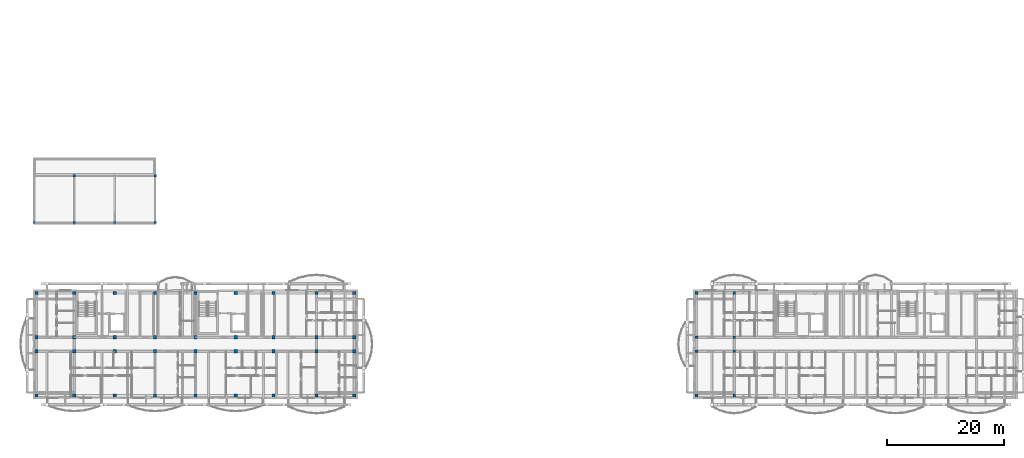
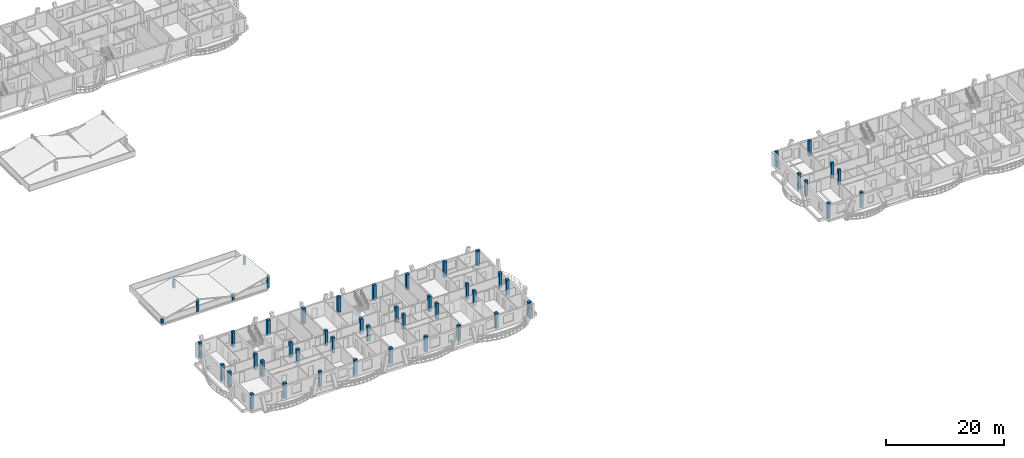
# One storey, part 1 of 50: 50 columns.
"""IFC4 building model written with IfcOpenShell, lengths in metres."""

import ifcopenshell
import ifcopenshell.guid

model = None  # the IFC model being written
_history = None  # IfcOwnerHistory: only IFC2X3 demands one
_inside = {}  # id of a spatial element -> (the spatial element, [elements in it])
_under = {}  # id of a project, library or spatial element -> (it, [spatial elements below it])
_declared = {}  # id of a project -> (the project, [libraries it declares])
_typed = {}  # id of a type object -> (the type object, [elements of that type])
_made_of = {}  # id of a material, layer set ... -> (it, [elements and type objects made of it])


def new_model(schema):
    """Start an empty IFC model of exactly this schema.

    Asked for "IFC4X3", IfcOpenShell would pick the latest addendum, in which some entities
    have other attributes; the version numbers below select the first issue.
    IFC2X3 requires an IfcOwnerHistory on every rooted entity: one is made here for all.
    """
    global model, _history
    if schema == "IFC4X3":
        model = ifcopenshell.file(schema_version=(4, 3, 0, 0))
    else:
        model = ifcopenshell.file(schema=schema)
    _inside.clear()
    _under.clear()
    _declared.clear()
    _typed.clear()
    _made_of.clear()
    _history = None
    if model.schema == "IFC2X3":
        org = make("IfcOrganization", Name="unknown")
        user = make(
            "IfcPersonAndOrganization",
            ThePerson=make("IfcPerson", FamilyName="unknown"),
            TheOrganization=org,
        )
        app = make(
            "IfcApplication",
            ApplicationDeveloper=org,
            Version="unknown",
            ApplicationFullName="unknown",
            ApplicationIdentifier="unknown",
        )
        _history = make(
            "IfcOwnerHistory",
            OwningUser=user,
            OwningApplication=app,
            ChangeAction="ADDED",
            CreationDate=0,
        )
    return model


def make(cls, **values):
    """One entity of the class cls with the attributes given. An attribute that is None is left unset."""
    return model.create_entity(
        cls, **{name: value for name, value in values.items() if value is not None}
    )


def rooted(cls, **values):
    """An entity with a GlobalId (a new one), such as an element, a storey or a relation."""
    return make(cls, GlobalId=ifcopenshell.guid.new(), OwnerHistory=_history, **values)


def si_unit(unit_type, name, prefix=None):
    """IfcSIUnit, for example si_unit("LENGTHUNIT", "METRE", prefix="MILLI")."""
    return make("IfcSIUnit", UnitType=unit_type, Prefix=prefix, Name=name)


def assignment(units):
    """IfcUnitAssignment: the units of a project."""
    return None if units is None else make("IfcUnitAssignment", Units=units)


def point(xyz):
    """IfcCartesianPoint."""
    return None if xyz is None else make("IfcCartesianPoint", Coordinates=xyz)


def direction(xyz):
    """IfcDirection."""
    return None if xyz is None else make("IfcDirection", DirectionRatios=xyz)


def frame(location, z_axis=None, x_axis=None):
    """IfcAxis2Placement3D, a coordinate frame: its origin and axes. An axis left out is left unset."""
    return make(
        "IfcAxis2Placement3D",
        Location=point(location),
        Axis=direction(z_axis),
        RefDirection=direction(x_axis),
    )


def frame_2d(location, x_axis=None):
    """IfcAxis2Placement2D, a coordinate frame in the plane: its origin and x axis."""
    return make(
        "IfcAxis2Placement2D", Location=point(location), RefDirection=direction(x_axis)
    )


def origin():
    """The frame at (0, 0, 0) with its axes left unset."""
    return frame((0.0, 0.0, 0.0))


def origin_2d():
    """The frame at (0, 0) in the plane with its x axis left unset."""
    return frame_2d((0.0, 0.0))


def place(relative_to, where):
    """IfcLocalPlacement: puts the frame where relative to a parent placement (None: the world)."""
    return make(
        "IfcLocalPlacement", PlacementRelTo=relative_to, RelativePlacement=where
    )


def context(
    kind, dimensions, precision=None, world=None, true_north=None, identifier=None
):
    """IfcGeometricRepresentationContext, for example the 3D "Model" context."""
    return make(
        "IfcGeometricRepresentationContext",
        ContextIdentifier=identifier,
        ContextType=kind,
        CoordinateSpaceDimension=dimensions,
        Precision=precision,
        WorldCoordinateSystem=world,
        TrueNorth=true_north,
    )


def subcontext(parent, identifier, kind, view, scale=None):
    """IfcGeometricRepresentationSubContext, for example "Body" below "Model"."""
    return make(
        "IfcGeometricRepresentationSubContext",
        ContextIdentifier=identifier,
        ContextType=kind,
        ParentContext=parent,
        TargetScale=scale,
        TargetView=view,
    )


def project(units=None, contexts=None):
    """IfcProject with its units and contexts."""
    return rooted(
        "IfcProject",
        Name="project",
        RepresentationContexts=contexts,
        UnitsInContext=assignment(units),
    )


def spatial(cls, under=None, at=None, **own):
    """A site, building, storey or space (cls), placed at a placement, below another one or the project."""
    s = rooted(cls, ObjectPlacement=at, **own)
    if under is not None:
        _under.setdefault(under.id(), (under, []))[1].append(s)
    return s


def profile(cls, at=None, kind="AREA", **sizes):
    """A parametric profile (cls). Its sizes go by their IFC names, for example OverallWidth=200.0."""
    return make(cls, ProfileType=kind, Position=at, **sizes)


def rectangle(**sizes):
    """IfcRectangleProfileDef."""
    return profile("IfcRectangleProfileDef", **sizes)


def extrude(swept, where, along, depth):
    """IfcExtrudedAreaSolid: the profile swept, set in the frame where, extruded along a direction by depth."""
    return make(
        "IfcExtrudedAreaSolid",
        SweptArea=swept,
        Position=where,
        ExtrudedDirection=direction(along),
        Depth=depth,
    )


def shape(context_of_items, identifier, shape_type, items):
    """IfcShapeRepresentation: the items that make up one representation, for example the "Body"."""
    return make(
        "IfcShapeRepresentation",
        ContextOfItems=context_of_items,
        RepresentationIdentifier=identifier,
        RepresentationType=shape_type,
        Items=items,
    )


def material(Name=None, Category=None):
    """IfcMaterial."""
    return make("IfcMaterial", Name=Name, Category=Category)


def material_profile(
    of_material, cross_section, Name=None, Category=None, Priority=None
):
    """IfcMaterialProfile: a cross section and its material."""
    return make(
        "IfcMaterialProfile",
        Name=Name,
        Material=of_material,
        Profile=cross_section,
        Priority=Priority,
        Category=Category,
    )


def profile_set(profiles, Name=None, composite=None):
    """IfcMaterialProfileSet."""
    return make(
        "IfcMaterialProfileSet",
        Name=Name,
        MaterialProfiles=profiles,
        CompositeProfile=composite,
    )


def made_of(thing, what):
    """Note that an element or type object is made of a material, layer set ...; save() writes the relation."""
    if what is not None:
        _made_of.setdefault(what.id(), (what, []))[1].append(thing)
    return thing


def type_object(cls, material=None, **own):
    """A type object (cls), such as IfcWallType, which elements share."""
    return made_of(rooted(cls, **own), material)


def element(
    cls,
    number,
    at=None,
    inside=None,
    cuts=None,
    type_object=None,
    material=None,
    context=None,
    identifier="Body",
    shape_type=None,
    held_by="IfcProductDefinitionShape",
    body=None,
    shapes=None,
    **own,
):
    """One element of the class cls, such as IfcWall. Its Tag is "e" and its number.

    at: its placement. inside: the storey or other place that contains it. cuts: it is an
    opening in that element (IfcRelVoidsElement). A single representation is given by context,
    identifier, shape_type and body (its items); several are given by shapes. held_by: the class
    of the entity that holds the representations. save() writes the other relations.
    """
    e = rooted(cls, Tag="e%d" % number, ObjectPlacement=at, **own)
    if body is not None:
        shapes = [shape(context, identifier, shape_type, body)]
    if shapes is not None:
        e.Representation = make(held_by, Representations=shapes)
    if inside is not None:
        _inside.setdefault(inside.id(), (inside, []))[1].append(e)
    if cuts is not None:
        rooted(
            "IfcRelVoidsElement", RelatingBuildingElement=cuts, RelatedOpeningElement=e
        )
    if type_object is not None:
        _typed.setdefault(type_object.id(), (type_object, []))[1].append(e)
    return made_of(e, material)


def aggregate(whole, parts):
    """IfcRelAggregates: a whole, such as a stair, and the parts it consists of."""
    return rooted("IfcRelAggregates", RelatingObject=whole, RelatedObjects=parts)


def save(model, path):
    """Write the relations noted so far, then the file.

    IfcRelAggregates (storeys below a building ...), IfcRelContainedInSpatialStructure (elements
    in a storey), IfcRelDefinesByType, IfcRelAssociatesMaterial and IfcRelDeclares: one each for
    every whole, place, type object, material and project.
    """
    for whole, parts in _under.values():
        aggregate(whole, parts)
    for where, things in _inside.values():
        rooted(
            "IfcRelContainedInSpatialStructure",
            RelatedElements=things,
            RelatingStructure=where,
        )
    for kind, things in _typed.values():
        rooted("IfcRelDefinesByType", RelatedObjects=things, RelatingType=kind)
    for what, things in _made_of.values():
        rooted("IfcRelAssociatesMaterial", RelatedObjects=things, RelatingMaterial=what)
    for by, libraries in _declared.values():
        rooted("IfcRelDeclares", RelatingContext=by, RelatedDefinitions=libraries)
    model.write(path)


model = new_model("IFC4")

# Units and contexts
model_context = context("Model", 3, precision=1e-05, world=origin(), true_north=direction((0.0, 1.0)))
body_context = subcontext(model_context, "Body", "Model", "MODEL_VIEW")
ifc_project = project(units=[si_unit("LENGTHUNIT", "METRE"), si_unit("AREAUNIT", "SQUARE_METRE"), si_unit("VOLUMEUNIT", "CUBIC_METRE"), si_unit("PLANEANGLEUNIT", "RADIAN"), si_unit("MASSUNIT", "GRAM", prefix="KILO")], contexts=[model_context])

# Site, building, storey
site_placement = place(None, origin())
site = spatial("IfcSite", under=ifc_project, at=site_placement, CompositionType="ELEMENT")
building_placement = place(site_placement, origin())
building = spatial("IfcBuilding", under=site, at=building_placement, Name="Zavelmont Quarter", CompositionType="ELEMENT")
storey_placement = place(building_placement, frame((0.0, 0.0, 11.199951171875)))
storey = spatial("IfcBuildingStorey", under=building, at=storey_placement, Name="L03", CompositionType="ELEMENT", Elevation=11.199951171875)

# Columns
ifc_material_1 = material(Name="Concrete C40/50", Category="concrete")
ifc_material_profile_1 = material_profile(ifc_material_1, rectangle(XDim=0.550048828125, YDim=0.550048828125, at=origin_2d()), Name="RC550X550")
ifc_profile_set_1 = profile_set([ifc_material_profile_1], Name="Concrete C40/50")
column_type_1 = type_object("IfcColumnType", Name="CL02", PredefinedType="COLUMN", material=ifc_profile_set_1)
for number, where, z_axis, x_axis, name in (
    (1, (0.43994140625, 0.43994140625, 0.0), (0.0, 0.0, 1.0), (1.0, 0.0, 0.0), "L03 column CL02 at 1/A"),
    (2, (0.43994140625, 8.0, 0.0), (0.0, 0.0, 1.0), (1.0, 0.0, 0.0), "L03 column CL02 at 1/B"),
    (3, (0.43994140625, 10.39990234375, 0.0), (0.0, 0.0, 1.0), (1.0, 0.0, 0.0), "L03 column CL02 at 1/C"),
    (4, (0.43994140625, 17.9599609375, 0.0), (0.0, 0.0, 1.0), (1.0, 0.0, 0.0), "L03 column CL02 at 1/D"),
    (5, (6.89990234375, 0.43994140625, 0.0), (0.0, 0.0, 1.0), (1.0, 0.0, 0.0), "L03 column CL02 at 2/A"),
    (6, (6.89990234375, 8.0, 0.0), (0.0, 0.0, 1.0), (1.0, 0.0, 0.0), "L03 column CL02 at 2/B"),
    (7, (6.89990234375, 10.39990234375, 0.0), (0.0, 0.0, 1.0), (1.0, 0.0, 0.0), "L03 column CL02 at 2/C"),
    (8, (6.89990234375, 17.9599609375, 0.0), (0.0, 0.0, 1.0), (1.0, 0.0, 0.0), "L03 column CL02 at 2/D"),
    (9, (13.800048828125, 0.43994140625, 0.0), (0.0, 0.0, 1.0), (1.0, 0.0, 0.0), "L03 column CL02 at 3/A"),
    (10, (13.800048828125, 8.0, 0.0), (0.0, 0.0, 1.0), (1.0, 0.0, 0.0), "L03 column CL02 at 3/B"),
    (11, (13.800048828125, 10.39990234375, 0.0), (0.0, 0.0, 1.0), (1.0, 0.0, 0.0), "L03 column CL02 at 3/C"),
    (12, (13.800048828125, 17.9599609375, 0.0), (0.0, 0.0, 1.0), (1.0, 0.0, 0.0), "L03 column CL02 at 3/D"),
    (13, (20.699951171875, 0.43994140625, 0.0), (0.0, 0.0, 1.0), (1.0, 0.0, 0.0), "L03 column CL02 at 4/A"),
    (14, (20.699951171875, 8.0, 0.0), (0.0, 0.0, 1.0), (1.0, 0.0, 0.0), "L03 column CL02 at 4/B"),
    (15, (20.699951171875, 10.39990234375, 0.0), (0.0, 0.0, 1.0), (1.0, 0.0, 0.0), "L03 column CL02 at 4/C"),
    (16, (20.699951171875, 17.9599609375, 0.0), (0.0, 0.0, 1.0), (1.0, 0.0, 0.0), "L03 column CL02 at 4/D"),
    (17, (27.60009765625, 0.43994140625, 0.0), (0.0, 0.0, 1.0), (1.0, 0.0, 0.0), "L03 column CL02 at 5/A"),
    (18, (27.60009765625, 8.0, 0.0), (0.0, 0.0, 1.0), (1.0, 0.0, 0.0), "L03 column CL02 at 5/B"),
    (19, (27.60009765625, 10.39990234375, 0.0), (0.0, 0.0, 1.0), (1.0, 0.0, 0.0), "L03 column CL02 at 5/C"),
    (20, (27.60009765625, 17.9599609375, 0.0), (0.0, 0.0, 1.0), (1.0, 0.0, 0.0), "L03 column CL02 at 5/D"),
    (21, (34.5, 0.43994140625, 0.0), (0.0, 0.0, 1.0), (1.0, 0.0, 0.0), "L03 column CL02 at 6/A"),
    (22, (34.5, 8.0, 0.0), (0.0, 0.0, 1.0), (1.0, 0.0, 0.0), "L03 column CL02 at 6/B"),
    (23, (34.5, 10.39990234375, 0.0), (0.0, 0.0, 1.0), (1.0, 0.0, 0.0), "L03 column CL02 at 6/C"),
    (24, (34.5, 17.9599609375, 0.0), (0.0, 0.0, 1.0), (1.0, 0.0, 0.0), "L03 column CL02 at 6/D"),
    (25, (40.9599609375, 0.43994140625, 0.0), (0.0, 0.0, 1.0), (1.0, 0.0, 0.0), "L03 column CL02 at 7/A"),
    (26, (40.9599609375, 8.0, 0.0), (0.0, 0.0, 1.0), (1.0, 0.0, 0.0), "L03 column CL02 at 7/B"),
    (27, (40.9599609375, 10.39990234375, 0.0), (0.0, 0.0, 1.0), (1.0, 0.0, 0.0), "L03 column CL02 at 7/C"),
    (28, (40.9599609375, 17.9599609375, 0.0), (0.0, 0.0, 1.0), (1.0, 0.0, 0.0), "L03 column CL02 at 7/D"),
    (29, (48.300048828125, 0.43994140625, 0.0), (0.0, 0.0, 1.0), (1.0, 0.0, 0.0), "L03 column CL02 at 8/A"),
    (30, (48.300048828125, 8.0, 0.0), (0.0, 0.0, 1.0), (1.0, 0.0, 0.0), "L03 column CL02 at 8/B"),
    (31, (48.300048828125, 10.39990234375, 0.0), (0.0, 0.0, 1.0), (1.0, 0.0, 0.0), "L03 column CL02 at 8/C"),
    (32, (48.300048828125, 17.9599609375, 0.0), (0.0, 0.0, 1.0), (1.0, 0.0, 0.0), "L03 column CL02 at 8/D"),
    (33, (54.760009765625, 0.43994140625, 0.0), (0.0, 0.0, 1.0), (1.0, 0.0, 0.0), "L03 column CL02 at 9/A"),
    (34, (54.760009765625, 8.0, 0.0), (0.0, 0.0, 1.0), (1.0, 0.0, 0.0), "L03 column CL02 at 9/B"),
    (35, (54.760009765625, 10.39990234375, 0.0), (0.0, 0.0, 1.0), (1.0, 0.0, 0.0), "L03 column CL02 at 9/C"),
    (36, (54.760009765625, 17.9599609375, 0.0), (0.0, 0.0, 1.0), (1.0, 0.0, 0.0), "L03 column CL02 at 9/D"),
):
    element("IfcColumn", number, at=place(storey_placement, frame(where, z_axis=z_axis, x_axis=x_axis)), inside=storey, type_object=column_type_1, Name=name, PredefinedType="COLUMN", context=body_context, shape_type="SweptSolid", body=[
        extrude(rectangle(XDim=0.550048828125, YDim=0.550048828125, at=origin_2d()), origin(), (0.0, 0.0, 1.0), 3.199951171875),
    ])
ifc_material_profile_2 = material_profile(ifc_material_1, rectangle(XDim=0.5, YDim=0.5, at=origin_2d()), Name="RC500X500")
ifc_profile_set_2 = profile_set([ifc_material_profile_2], Name="Concrete C40/50")
column_type_2 = type_object("IfcColumnType", Name="CL03", PredefinedType="COLUMN", material=ifc_profile_set_2)
for number, where, z_axis, x_axis, name in (
    (37, (113.239990234375, 0.43994140625, 0.0), (0.0, 0.0, 1.0), (1.0, 0.0, 0.0), "L03 column CL03 at 17/A"),
    (38, (113.239990234375, 8.0, 0.0), (0.0, 0.0, 1.0), (1.0, 0.0, 0.0), "L03 column CL03 at 17/B"),
    (39, (113.239990234375, 10.39990234375, 0.0), (0.0, 0.0, 1.0), (1.0, 0.0, 0.0), "L03 column CL03 at 17/C"),
    (40, (113.239990234375, 17.9599609375, 0.0), (0.0, 0.0, 1.0), (1.0, 0.0, 0.0), "L03 column CL03 at 17/D"),
    (41, (119.699951171875, 0.43994140625, 0.0), (0.0, 0.0, 1.0), (1.0, 0.0, 0.0), "L03 column CL03 at 18/A"),
    (42, (119.699951171875, 8.0, 0.0), (0.0, 0.0, 1.0), (1.0, 0.0, 0.0), "L03 column CL03 at 18/B"),
    (43, (119.699951171875, 10.39990234375, 0.0), (0.0, 0.0, 1.0), (1.0, 0.0, 0.0), "L03 column CL03 at 18/C"),
    (44, (119.699951171875, 17.9599609375, 0.0), (0.0, 0.0, 1.0), (1.0, 0.0, 0.0), "L03 column CL03 at 18/D"),
):
    element("IfcColumn", number, at=place(storey_placement, frame(where, z_axis=z_axis, x_axis=x_axis)), inside=storey, type_object=column_type_2, Name=name, PredefinedType="COLUMN", context=body_context, shape_type="SweptSolid", body=[
        extrude(rectangle(XDim=0.5, YDim=0.5, at=origin_2d()), origin(), (0.0, 0.0, 1.0), 3.199951171875),
    ])
ifc_material_2 = material(Name="Concrete C35/45", Category="concrete")
ifc_material_profile_3 = material_profile(ifc_material_2, rectangle(XDim=0.39990234375, YDim=0.39990234375, at=origin_2d()), Name="RC400X400")
ifc_profile_set_3 = profile_set([ifc_material_profile_3], Name="Concrete C35/45")
column_type_3 = type_object("IfcColumnType", Name="CL05", PredefinedType="COLUMN", material=ifc_profile_set_3)
column_1_placement = place(storey_placement, frame((0.0, 30.0, 0.0), z_axis=(0.0, 0.0, 1.0), x_axis=(1.0, 0.0, 0.0)))
element("IfcColumn", 45, at=column_1_placement, inside=storey, type_object=column_type_3, Name="L03 column CL05 at 1/F", PredefinedType="COLUMN", context=body_context, shape_type="SweptSolid", body=[
    extrude(rectangle(XDim=0.39990234375, YDim=0.39990234375, at=origin_2d()), origin(), (0.0, 0.0, 1.0), 0.8701171875),
])
column_2_placement = place(storey_placement, frame((6.89990234375, 30.0, 0.0), z_axis=(0.0, 0.0, 1.0), x_axis=(1.0, 0.0, 0.0)))
element("IfcColumn", 46, at=column_2_placement, inside=storey, type_object=column_type_3, Name="L03 column CL05 at 2/F", PredefinedType="COLUMN", context=body_context, shape_type="SweptSolid", body=[
    extrude(rectangle(XDim=0.39990234375, YDim=0.39990234375, at=origin_2d()), origin(), (0.0, 0.0, 1.0), 2.6201171875),
])
column_3_placement = place(storey_placement, frame((6.89990234375, 38.0, 0.0), z_axis=(0.0, 0.0, 1.0), x_axis=(1.0, 0.0, 0.0)))
element("IfcColumn", 47, at=column_3_placement, inside=storey, type_object=column_type_3, Name="L03 column CL05 at 2/G", PredefinedType="COLUMN", context=body_context, shape_type="SweptSolid", body=[
    extrude(rectangle(XDim=0.39990234375, YDim=0.39990234375, at=origin_2d()), origin(), (0.0, 0.0, 1.0), 1.7451171875),
])
column_4_placement = place(storey_placement, frame((13.800048828125, 30.0, 0.0), z_axis=(0.0, 0.0, 1.0), x_axis=(1.0, 0.0, 0.0)))
element("IfcColumn", 48, at=column_4_placement, inside=storey, type_object=column_type_3, Name="L03 column CL05 at 3/F", PredefinedType="COLUMN", context=body_context, shape_type="SweptSolid", body=[
    extrude(rectangle(XDim=0.39990234375, YDim=0.39990234375, at=origin_2d()), origin(), (0.0, 0.0, 1.0), 0.8701171875),
])
column_5_placement = place(storey_placement, frame((20.699951171875, 30.0, 0.0), z_axis=(0.0, 0.0, 1.0), x_axis=(1.0, 0.0, 0.0)))
element("IfcColumn", 49, at=column_5_placement, inside=storey, type_object=column_type_3, Name="L03 column CL05 at 4/F", PredefinedType="COLUMN", context=body_context, shape_type="SweptSolid", body=[
    extrude(rectangle(XDim=0.39990234375, YDim=0.39990234375, at=origin_2d()), origin(), (0.0, 0.0, 1.0), 2.6201171875),
])
column_6_placement = place(storey_placement, frame((20.699951171875, 38.0, 0.0), z_axis=(0.0, 0.0, 1.0), x_axis=(1.0, 0.0, 0.0)))
element("IfcColumn", 50, at=column_6_placement, inside=storey, type_object=column_type_3, Name="L03 column CL05 at 4/G", PredefinedType="COLUMN", context=body_context, shape_type="SweptSolid", body=[
    extrude(rectangle(XDim=0.39990234375, YDim=0.39990234375, at=origin_2d()), origin(), (0.0, 0.0, 1.0), 1.7451171875),
])

save(model, "model.ifc")
